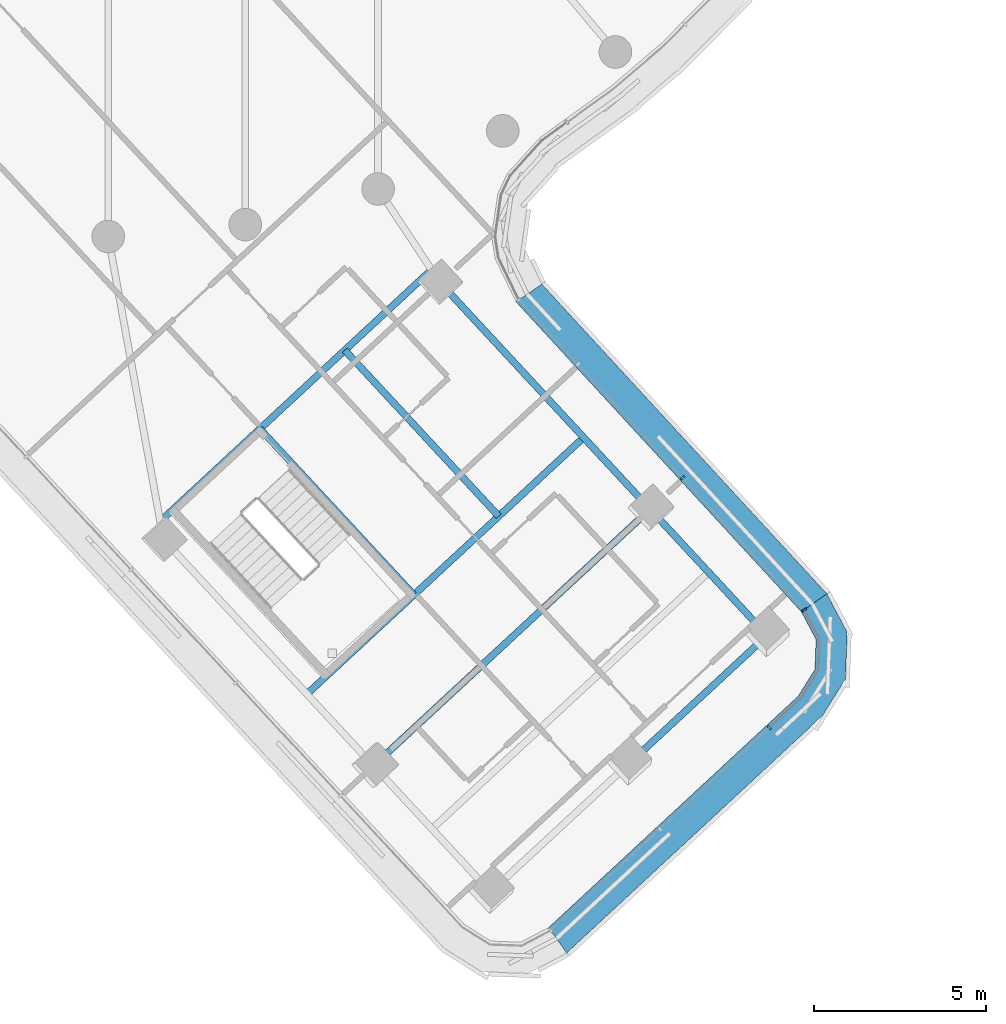
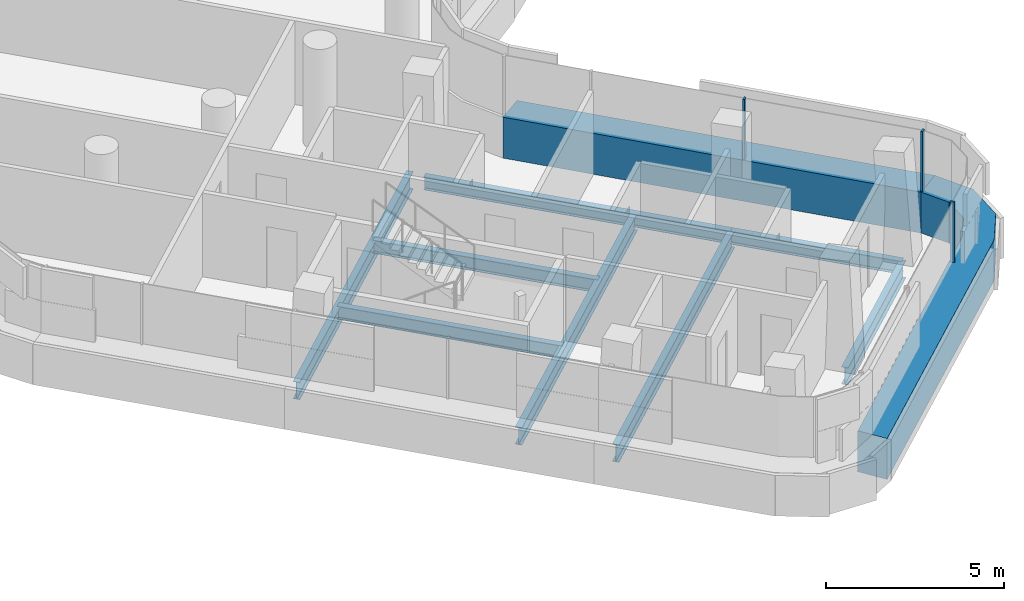
# One storey, part 6 of 34: 8 beams, 5 members, 2 elements without a shape of their own.
"""IFC4 building model written with IfcOpenShell, lengths in metres."""

from ifc_helpers import new_model, si_unit, direction, frame, origin, origin_2d, place, context, subcontext, project, spatial, polyline, rectangle, i_section, outline, extrude, material, layer, layer_set, material_profile, profile_set, type_object, element, aggregate, save


model = new_model("IFC4")

# Units and contexts
model_context = context("Model", 3, precision=1e-05, world=origin(), true_north=direction((0.0, 1.0)))
body_context = subcontext(model_context, "Body", "Model", "MODEL_VIEW")
ifc_project = project(units=[si_unit("LENGTHUNIT", "METRE"), si_unit("AREAUNIT", "SQUARE_METRE"), si_unit("VOLUMEUNIT", "CUBIC_METRE"), si_unit("PLANEANGLEUNIT", "RADIAN"), si_unit("MASSUNIT", "GRAM", prefix="KILO")], contexts=[model_context])

# Site, building, storey
site_placement = place(None, origin())
site = spatial("IfcSite", under=ifc_project, at=site_placement, CompositionType="ELEMENT")
building_placement = place(site_placement, origin())
building = spatial("IfcBuilding", under=site, at=building_placement, Name="Tamarind Cross Interchange Tower", CompositionType="ELEMENT")
storey_placement = place(building_placement, frame((0.0, 0.0, 189.699951171875)))
storey = spatial("IfcBuildingStorey", under=building, at=storey_placement, Name="L47", CompositionType="ELEMENT", Elevation=189.699951171875)

# Beams
ifc_material_1 = material(Name="Steel Q355B", Category="steel")
ifc_material_profile_1 = material_profile(ifc_material_1, i_section(OverallWidth=0.198974609375, OverallDepth=0.446044921875, WebThickness=0.008056640625, FlangeThickness=0.011962890625, FilletRadius=0.012939453125, at=origin_2d()), Name="HN 446x199x8x12")
ifc_profile_set_1 = profile_set([ifc_material_profile_1], Name="Steel Q355B")
beam_type_1 = type_object("IfcBeamType", Name="Composite beam HN 446x199x8x12 Q355B", PredefinedType="BEAM", material=ifc_profile_set_1)
beam_1_placement = place(storey_placement, frame((19.207763671875, -34.62646484375, -0.363037109375), z_axis=(-0.679919112762, 0.733287119824, 0.0), x_axis=(-0.733287119824, -0.679919112762, 0.0)))
element("IfcBeam", 1, at=beam_1_placement, inside=storey, type_object=beam_type_1, Name="Beam S-edgeep2", PredefinedType="BEAM", context=body_context, shape_type="SweptSolid", body=[
    extrude(i_section(OverallWidth=0.198974609375, OverallDepth=0.446044921875, WebThickness=0.008056640625, FlangeThickness=0.011962890625, FilletRadius=0.012939453125, at=origin_2d()), origin(), (0.0, 0.0, 1.0), 5.018310546875),
])
beam_2_placement = place(storey_placement, frame((15.795654296875, -30.946533203125, -0.363037109375), z_axis=(-0.679924447682, 0.73328217314, 0.0), x_axis=(-0.73328217314, -0.679924447682, 0.0)))
element("IfcBeam", 2, at=beam_2_placement, inside=storey, type_object=beam_type_1, Name="Beam S-edgeep3", PredefinedType="BEAM", context=body_context, shape_type="SweptSolid", body=[
    extrude(i_section(OverallWidth=0.198974609375, OverallDepth=0.446044921875, WebThickness=0.008056640625, FlangeThickness=0.011962890625, FilletRadius=0.012939453125, at=origin_2d()), origin(), (0.0, 0.0, 1.0), 9.0),
])
for number, where, z_axis, x_axis, name in (
    (3, (4.420654296875, -28.606201171875, -0.363037109375), (0.679914611684, -0.733291293293, 0.0), (0.733291293293, 0.679914611684, 0.0), "Beam S-tr1"),
    (4, (6.8955078125, -26.3115234375, -0.363037109375), (0.679914611684, -0.733291293293, 0.0), (0.733291293293, 0.679914611684, 0.0), "Beam S-stripp"),
):
    element("IfcBeam", number, at=place(storey_placement, frame(where, z_axis=z_axis, x_axis=x_axis)), inside=storey, type_object=beam_type_1, Name=name, PredefinedType="BEAM", context=body_context, shape_type="SweptSolid", body=[
        extrude(i_section(OverallWidth=0.198974609375, OverallDepth=0.446044921875, WebThickness=0.008056640625, FlangeThickness=0.011962890625, FilletRadius=0.012939453125, at=origin_2d()), origin(), (0.0, 0.0, 1.0), 6.60009765625),
    ])
ifc_material_profile_2 = material_profile(ifc_material_1, i_section(OverallWidth=0.198974609375, OverallDepth=0.595947265625, WebThickness=0.010009765625, FlangeThickness=0.014892578125, FilletRadius=0.012939453125, at=origin_2d()), Name="HN 596x199x10x15")
ifc_profile_set_2 = profile_set([ifc_material_profile_2], Name="Steel Q355B")
beam_type_2 = type_object("IfcBeamType", Name="Composite beam HN 596x199x10x15 Q355B", PredefinedType="BEAM", material=ifc_profile_set_2)
beam_3_placement = place(storey_placement, frame((15.174560546875, -38.365966796875, -0.43798828125), z_axis=(0.73330235877, 0.679902677317, 0.0), x_axis=(-0.679902677317, 0.73330235877, 0.0)))
element("IfcBeam", 5, at=beam_3_placement, inside=storey, type_object=beam_type_2, Name="Beam S-tip1", PredefinedType="BEAM", context=body_context, shape_type="SweptSolid", body=[
    extrude(i_section(OverallWidth=0.198974609375, OverallDepth=0.595947265625, WebThickness=0.010009765625, FlangeThickness=0.014892578125, FilletRadius=0.012939453125, at=origin_2d()), origin(), (0.0, 0.0, 1.0), 5.5),
])
beam_4_placement = place(storey_placement, frame((1.514404296875, -31.301025390625, -0.43798828125), z_axis=(0.733286621245, 0.679919650476, 0.0), x_axis=(-0.679919650476, 0.733286621245, 0.0)))
element("IfcBeam", 6, at=beam_4_placement, inside=storey, type_object=beam_type_2, Name="Beam S-x298", PredefinedType="BEAM", context=body_context, shape_type="SweptSolid", body=[
    extrude(i_section(OverallWidth=0.198974609375, OverallDepth=0.595947265625, WebThickness=0.010009765625, FlangeThickness=0.014892578125, FilletRadius=0.012939453125, at=origin_2d()), origin(), (0.0, 0.0, 1.0), 10.787353515625),
])
for number, where, z_axis, x_axis, name in (
    (7, (5.79150390625, -36.335693359375, -0.43798828125), (0.73330235877, 0.679902677317, 0.0), (-0.679902677317, 0.73330235877, 0.0), "Beam S-x364"),
    (8, (7.7294921875, -38.425537109375, -0.43798828125), (0.733292098775, 0.679913742966, 0.0), (-0.679913742966, 0.733292098775, 0.0), "Beam S-x393"),
):
    element("IfcBeam", number, at=place(storey_placement, frame(where, z_axis=z_axis, x_axis=x_axis)), inside=storey, type_object=beam_type_2, Name=name, PredefinedType="BEAM", context=body_context, shape_type="SweptSolid", body=[
        extrude(i_section(OverallWidth=0.198974609375, OverallDepth=0.595947265625, WebThickness=0.010009765625, FlangeThickness=0.014892578125, FilletRadius=0.012939453125, at=origin_2d()), origin(), (0.0, 0.0, 1.0), 11.0),
    ])

# Curtain wall, member
ifc_material_2 = material(Name="Aluminium 6063-T6", Category="aluminium")
ifc_layer = layer(ifc_material_2, 0.139892578125)
ifc_layer_set = layer_set([ifc_layer], Name="Aluminium 6063-T6")
curtain_wall_type = type_object("IfcCurtainWallType", Name="Hotel curtain wall, 4.5 m bays", PredefinedType="NOTDEFINED", material=ifc_layer_set)
curtain_wall_1_placement = place(storey_placement, origin())
curtain_wall_1 = element("IfcCurtainWall", 9, at=curtain_wall_1_placement, inside=storey, type_object=curtain_wall_type, Name="CWS-L47-00", PredefinedType="NOTDEFINED")
ifc_material_3 = material(Name="Aluminium and insulated spandrel panel", Category="aluminium")
member_type_1 = type_object("IfcMemberType", Name="Floor-edge blade transom", PredefinedType="USERDEFINED", material=ifc_material_3)
member_1_placement = place(storey_placement, origin())
member_1 = element("IfcMember", 10, at=member_1_placement, type_object=member_type_1, Name="CWT-L47-00", ObjectType="TRANSOM", PredefinedType="USERDEFINED", context=body_context, shape_type="SweptSolid", body=[
    extrude(outline(polyline([(12.83740234375, -43.14111328125), (20.112548828125, -36.395751953125), (20.599853515625, -35.620849609375), (20.6328125, -34.746826171875), (20.205078125, -33.93701171875), (20.9462890625, -33.413330078125), (21.541259765625, -34.539794921875), (21.489990234375, -35.895751953125), (20.811279296875, -36.97509765625), (13.362548828125, -43.881591796875), (12.83740234375, -43.14111328125)])), origin(), (0.0, 0.0, 1.0), 1.400146484375),
])

curtain_wall_2_placement = place(storey_placement, origin())
curtain_wall_2 = element("IfcCurtainWall", 11, at=curtain_wall_2_placement, inside=storey, type_object=curtain_wall_type, Name="CWS-L47-01", PredefinedType="NOTDEFINED")
member_2_placement = place(storey_placement, origin())
member_2 = element("IfcMember", 12, at=member_2_placement, type_object=member_type_1, Name="CWT-L47-01", ObjectType="TRANSOM", PredefinedType="USERDEFINED", context=body_context, shape_type="SweptSolid", body=[
    extrude(outline(polyline([(20.205078125, -33.93701171875), (11.88623046875, -24.901123046875), (12.638427734375, -24.38916015625), (20.9462890625, -33.413330078125), (20.205078125, -33.93701171875)])), origin(), (0.0, 0.0, 1.0), 1.400146484375),
])

# Member
ifc_material_profile_3 = material_profile(ifc_material_2, rectangle(XDim=0.06005859375, YDim=0.139892578125, at=origin_2d()), Name="Mullion CW2")
ifc_profile_set_3 = profile_set([ifc_material_profile_3], Name="Aluminium 6063-T6")
member_type_2 = type_object("IfcMemberType", Name="Mullion CW2", PredefinedType="MULLION", material=ifc_profile_set_3)
member_3_placement = place(storey_placement, frame((19.26904296875, -37.314208984375, 1.400146484375), z_axis=(0.0, 0.0, 1.0), x_axis=(0.73329332084, 0.679912424958, 0.0)))
member_3 = element("IfcMember", 13, at=member_3_placement, type_object=member_type_2, Name="CWM-L47-00-02", PredefinedType="MULLION", context=body_context, shape_type="SweptSolid", body=[
    extrude(rectangle(XDim=0.06005859375, YDim=0.139892578125, at=origin_2d()), origin(), (0.0, 0.0, 1.0), 2.059814453125),
])

aggregate(curtain_wall_1, [member_3, member_1])

member_4_placement = place(storey_placement, frame((20.287353515625, -33.878662109375, 1.400146484375), z_axis=(0.0, 0.0, 1.0), x_axis=(-0.576935747349, 0.816789534354, 0.0)))
member_4 = element("IfcMember", 14, at=member_4_placement, type_object=member_type_2, Name="CWM-L47-01-00", PredefinedType="MULLION", context=body_context, shape_type="SweptSolid", body=[
    extrude(rectangle(XDim=0.06005859375, YDim=0.139892578125, at=origin_2d()), origin(), (0.0, 0.0, 1.0), 2.059814453125),
])

member_5_placement = place(storey_placement, frame((16.743408203125, -30.029296875, 1.400146484375), z_axis=(0.0, 0.0, 1.0), x_axis=(-0.677310265309, 0.735697495243, 0.0)))
member_5 = element("IfcMember", 15, at=member_5_placement, type_object=member_type_2, Name="CWM-L47-01-01", PredefinedType="MULLION", context=body_context, shape_type="SweptSolid", body=[
    extrude(rectangle(XDim=0.06005859375, YDim=0.139892578125, at=origin_2d()), origin(), (0.0, 0.0, 1.0), 2.059814453125),
])

aggregate(curtain_wall_2, [member_4, member_5, member_2])

save(model, "model.ifc")
